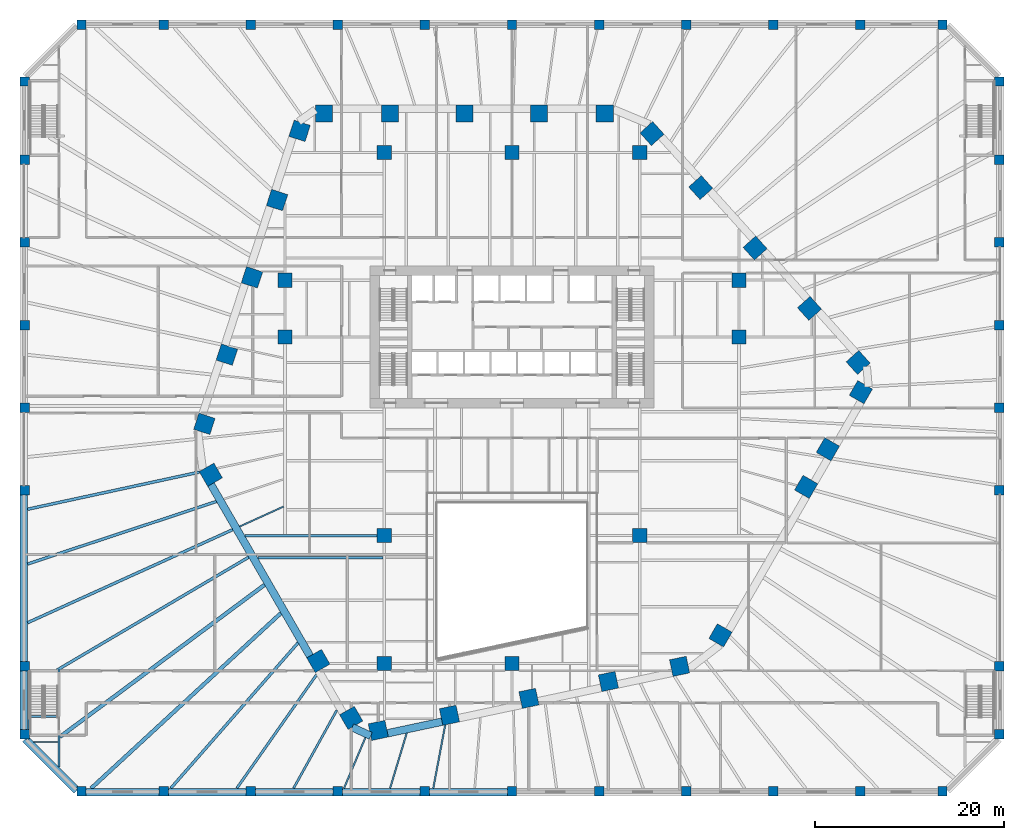
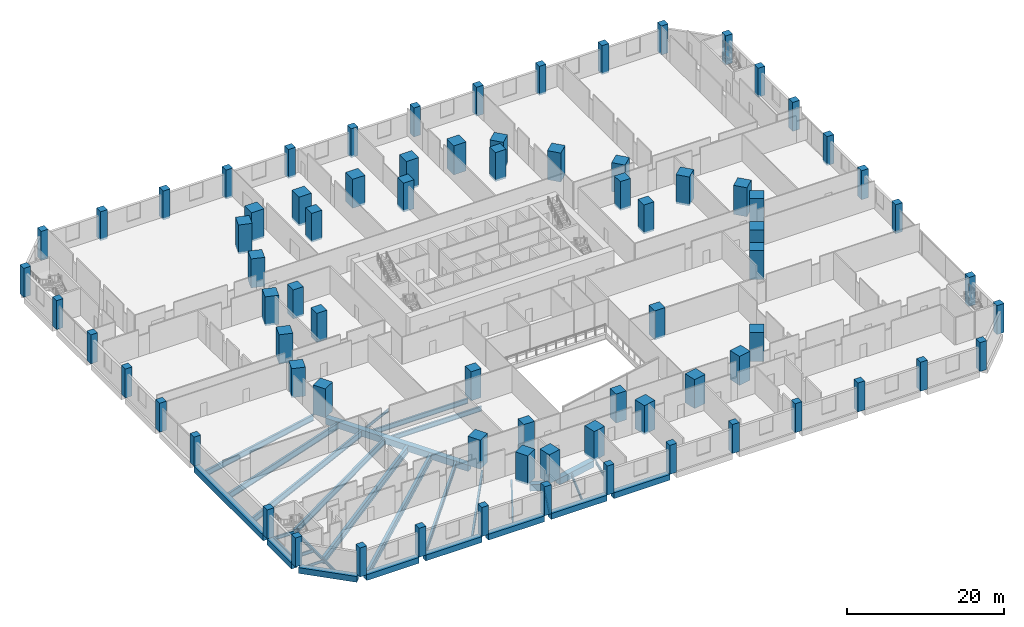
# One storey, part 1 of 29: 76 columns, 31 beams.
"""IFC4 building model written with IfcOpenShell, lengths in metres."""

import ifcopenshell
import ifcopenshell.guid

model = None  # the IFC model being written
_history = None  # IfcOwnerHistory: only IFC2X3 demands one
_inside = {}  # id of a spatial element -> (the spatial element, [elements in it])
_under = {}  # id of a project, library or spatial element -> (it, [spatial elements below it])
_declared = {}  # id of a project -> (the project, [libraries it declares])
_typed = {}  # id of a type object -> (the type object, [elements of that type])
_made_of = {}  # id of a material, layer set ... -> (it, [elements and type objects made of it])


def new_model(schema):
    """Start an empty IFC model of exactly this schema.

    Asked for "IFC4X3", IfcOpenShell would pick the latest addendum, in which some entities
    have other attributes; the version numbers below select the first issue.
    IFC2X3 requires an IfcOwnerHistory on every rooted entity: one is made here for all.
    """
    global model, _history
    if schema == "IFC4X3":
        model = ifcopenshell.file(schema_version=(4, 3, 0, 0))
    else:
        model = ifcopenshell.file(schema=schema)
    _inside.clear()
    _under.clear()
    _declared.clear()
    _typed.clear()
    _made_of.clear()
    _history = None
    if model.schema == "IFC2X3":
        org = make("IfcOrganization", Name="unknown")
        user = make(
            "IfcPersonAndOrganization",
            ThePerson=make("IfcPerson", FamilyName="unknown"),
            TheOrganization=org,
        )
        app = make(
            "IfcApplication",
            ApplicationDeveloper=org,
            Version="unknown",
            ApplicationFullName="unknown",
            ApplicationIdentifier="unknown",
        )
        _history = make(
            "IfcOwnerHistory",
            OwningUser=user,
            OwningApplication=app,
            ChangeAction="ADDED",
            CreationDate=0,
        )
    return model


def make(cls, **values):
    """One entity of the class cls with the attributes given. An attribute that is None is left unset."""
    return model.create_entity(
        cls, **{name: value for name, value in values.items() if value is not None}
    )


def rooted(cls, **values):
    """An entity with a GlobalId (a new one), such as an element, a storey or a relation."""
    return make(cls, GlobalId=ifcopenshell.guid.new(), OwnerHistory=_history, **values)


def si_unit(unit_type, name, prefix=None):
    """IfcSIUnit, for example si_unit("LENGTHUNIT", "METRE", prefix="MILLI")."""
    return make("IfcSIUnit", UnitType=unit_type, Prefix=prefix, Name=name)


def assignment(units):
    """IfcUnitAssignment: the units of a project."""
    return None if units is None else make("IfcUnitAssignment", Units=units)


def point(xyz):
    """IfcCartesianPoint."""
    return None if xyz is None else make("IfcCartesianPoint", Coordinates=xyz)


def direction(xyz):
    """IfcDirection."""
    return None if xyz is None else make("IfcDirection", DirectionRatios=xyz)


def frame(location, z_axis=None, x_axis=None):
    """IfcAxis2Placement3D, a coordinate frame: its origin and axes. An axis left out is left unset."""
    return make(
        "IfcAxis2Placement3D",
        Location=point(location),
        Axis=direction(z_axis),
        RefDirection=direction(x_axis),
    )


def frame_2d(location, x_axis=None):
    """IfcAxis2Placement2D, a coordinate frame in the plane: its origin and x axis."""
    return make(
        "IfcAxis2Placement2D", Location=point(location), RefDirection=direction(x_axis)
    )


def origin():
    """The frame at (0, 0, 0) with its axes left unset."""
    return frame((0.0, 0.0, 0.0))


def origin_2d():
    """The frame at (0, 0) in the plane with its x axis left unset."""
    return frame_2d((0.0, 0.0))


def place(relative_to, where):
    """IfcLocalPlacement: puts the frame where relative to a parent placement (None: the world)."""
    return make(
        "IfcLocalPlacement", PlacementRelTo=relative_to, RelativePlacement=where
    )


def context(
    kind, dimensions, precision=None, world=None, true_north=None, identifier=None
):
    """IfcGeometricRepresentationContext, for example the 3D "Model" context."""
    return make(
        "IfcGeometricRepresentationContext",
        ContextIdentifier=identifier,
        ContextType=kind,
        CoordinateSpaceDimension=dimensions,
        Precision=precision,
        WorldCoordinateSystem=world,
        TrueNorth=true_north,
    )


def subcontext(parent, identifier, kind, view, scale=None):
    """IfcGeometricRepresentationSubContext, for example "Body" below "Model"."""
    return make(
        "IfcGeometricRepresentationSubContext",
        ContextIdentifier=identifier,
        ContextType=kind,
        ParentContext=parent,
        TargetScale=scale,
        TargetView=view,
    )


def project(units=None, contexts=None):
    """IfcProject with its units and contexts."""
    return rooted(
        "IfcProject",
        Name="project",
        RepresentationContexts=contexts,
        UnitsInContext=assignment(units),
    )


def spatial(cls, under=None, at=None, **own):
    """A site, building, storey or space (cls), placed at a placement, below another one or the project."""
    s = rooted(cls, ObjectPlacement=at, **own)
    if under is not None:
        _under.setdefault(under.id(), (under, []))[1].append(s)
    return s


def profile(cls, at=None, kind="AREA", **sizes):
    """A parametric profile (cls). Its sizes go by their IFC names, for example OverallWidth=200.0."""
    return make(cls, ProfileType=kind, Position=at, **sizes)


def rectangle(**sizes):
    """IfcRectangleProfileDef."""
    return profile("IfcRectangleProfileDef", **sizes)


def i_section(**sizes):
    """IfcIShapeProfileDef."""
    return profile("IfcIShapeProfileDef", **sizes)


def extrude(swept, where, along, depth):
    """IfcExtrudedAreaSolid: the profile swept, set in the frame where, extruded along a direction by depth."""
    return make(
        "IfcExtrudedAreaSolid",
        SweptArea=swept,
        Position=where,
        ExtrudedDirection=direction(along),
        Depth=depth,
    )


def shape(context_of_items, identifier, shape_type, items):
    """IfcShapeRepresentation: the items that make up one representation, for example the "Body"."""
    return make(
        "IfcShapeRepresentation",
        ContextOfItems=context_of_items,
        RepresentationIdentifier=identifier,
        RepresentationType=shape_type,
        Items=items,
    )


def material(Name=None, Category=None):
    """IfcMaterial."""
    return make("IfcMaterial", Name=Name, Category=Category)


def material_profile(
    of_material, cross_section, Name=None, Category=None, Priority=None
):
    """IfcMaterialProfile: a cross section and its material."""
    return make(
        "IfcMaterialProfile",
        Name=Name,
        Material=of_material,
        Profile=cross_section,
        Priority=Priority,
        Category=Category,
    )


def profile_set(profiles, Name=None, composite=None):
    """IfcMaterialProfileSet."""
    return make(
        "IfcMaterialProfileSet",
        Name=Name,
        MaterialProfiles=profiles,
        CompositeProfile=composite,
    )


def made_of(thing, what):
    """Note that an element or type object is made of a material, layer set ...; save() writes the relation."""
    if what is not None:
        _made_of.setdefault(what.id(), (what, []))[1].append(thing)
    return thing


def type_object(cls, material=None, **own):
    """A type object (cls), such as IfcWallType, which elements share."""
    return made_of(rooted(cls, **own), material)


def element(
    cls,
    number,
    at=None,
    inside=None,
    cuts=None,
    type_object=None,
    material=None,
    context=None,
    identifier="Body",
    shape_type=None,
    held_by="IfcProductDefinitionShape",
    body=None,
    shapes=None,
    **own,
):
    """One element of the class cls, such as IfcWall. Its Tag is "e" and its number.

    at: its placement. inside: the storey or other place that contains it. cuts: it is an
    opening in that element (IfcRelVoidsElement). A single representation is given by context,
    identifier, shape_type and body (its items); several are given by shapes. held_by: the class
    of the entity that holds the representations. save() writes the other relations.
    """
    e = rooted(cls, Tag="e%d" % number, ObjectPlacement=at, **own)
    if body is not None:
        shapes = [shape(context, identifier, shape_type, body)]
    if shapes is not None:
        e.Representation = make(held_by, Representations=shapes)
    if inside is not None:
        _inside.setdefault(inside.id(), (inside, []))[1].append(e)
    if cuts is not None:
        rooted(
            "IfcRelVoidsElement", RelatingBuildingElement=cuts, RelatedOpeningElement=e
        )
    if type_object is not None:
        _typed.setdefault(type_object.id(), (type_object, []))[1].append(e)
    return made_of(e, material)


def aggregate(whole, parts):
    """IfcRelAggregates: a whole, such as a stair, and the parts it consists of."""
    return rooted("IfcRelAggregates", RelatingObject=whole, RelatedObjects=parts)


def save(model, path):
    """Write the relations noted so far, then the file.

    IfcRelAggregates (storeys below a building ...), IfcRelContainedInSpatialStructure (elements
    in a storey), IfcRelDefinesByType, IfcRelAssociatesMaterial and IfcRelDeclares: one each for
    every whole, place, type object, material and project.
    """
    for whole, parts in _under.values():
        aggregate(whole, parts)
    for where, things in _inside.values():
        rooted(
            "IfcRelContainedInSpatialStructure",
            RelatedElements=things,
            RelatingStructure=where,
        )
    for kind, things in _typed.values():
        rooted("IfcRelDefinesByType", RelatedObjects=things, RelatingType=kind)
    for what, things in _made_of.values():
        rooted("IfcRelAssociatesMaterial", RelatedObjects=things, RelatingMaterial=what)
    for by, libraries in _declared.values():
        rooted("IfcRelDeclares", RelatingContext=by, RelatedDefinitions=libraries)
    model.write(path)


model = new_model("IFC4")

# Units and contexts
model_context = context("Model", 3, precision=1e-05, world=origin(), true_north=direction((0.0, 1.0)))
body_context = subcontext(model_context, "Body", "Model", "MODEL_VIEW")
ifc_project = project(units=[si_unit("LENGTHUNIT", "METRE"), si_unit("AREAUNIT", "SQUARE_METRE"), si_unit("VOLUMEUNIT", "CUBIC_METRE"), si_unit("PLANEANGLEUNIT", "RADIAN"), si_unit("MASSUNIT", "GRAM", prefix="KILO")], contexts=[model_context])

# Site, building, storey
site_placement = place(None, origin())
site = spatial("IfcSite", under=ifc_project, at=site_placement, CompositionType="ELEMENT")
building_placement = place(site_placement, origin())
building = spatial("IfcBuilding", under=site, at=building_placement, Name="Isthmus Gate Tower", CompositionType="ELEMENT")
storey_placement = place(building_placement, frame((0.0, 0.0, 27.0)))
storey = spatial("IfcBuildingStorey", under=building, at=storey_placement, Name="L04", CompositionType="ELEMENT", Elevation=27.0)

# Columns
ifc_material_1 = material(Name="Concrete f'c 70 MPa", Category="concrete")
ifc_material_profile_1 = material_profile(ifc_material_1, rectangle(XDim=1.5, YDim=1.5, at=origin_2d()), Name="RC 1500X1500")
ifc_profile_set_1 = profile_set([ifc_material_profile_1], Name="Concrete f'c 70 MPa")
column_type_1 = type_object("IfcColumnType", Name="RC INTERIOR COLUMN 1500 X 1500", PredefinedType="COLUMN", material=ifc_profile_set_1)
for number, where, z_axis, x_axis, name in (
    (1, (-24.0, 7.5, -0.300048828125), (0.0, 0.0, 1.0), (1.0, 0.0, 0.0), "str-icol-L04-ICA3"),
    (2, (-24.0, 13.5, -0.300048828125), (0.0, 0.0, 1.0), (1.0, 0.0, 0.0), "str-icol-L04-ICA4"),
    (3, (-13.5, -27.0, -0.300048828125), (0.0, 0.0, 1.0), (1.0, 0.0, 0.0), "str-icol-L04-ICB1"),
    (4, (-13.5, -13.5, -0.300048828125), (0.0, 0.0, 1.0), (1.0, 0.0, 0.0), "str-icol-L04-ICB2"),
    (5, (-13.5, 27.0, -0.300048828125), (0.0, 0.0, 1.0), (1.0, 0.0, 0.0), "str-icol-L04-ICB5"),
    (6, (0.0, -27.0, -0.300048828125), (0.0, 0.0, 1.0), (1.0, 0.0, 0.0), "str-icol-L04-ICC1"),
    (7, (0.0, 27.0, -0.300048828125), (0.0, 0.0, 1.0), (1.0, 0.0, 0.0), "str-icol-L04-ICC5"),
    (8, (13.5, -13.5, -0.300048828125), (0.0, 0.0, 1.0), (1.0, 0.0, 0.0), "str-icol-L04-ICD2"),
    (9, (13.5, 27.0, -0.300048828125), (0.0, 0.0, 1.0), (1.0, 0.0, 0.0), "str-icol-L04-ICD5"),
    (10, (24.0, 7.5, -0.300048828125), (0.0, 0.0, 1.0), (1.0, 0.0, 0.0), "str-icol-L04-ICE3"),
    (11, (24.0, 13.5, -0.300048828125), (0.0, 0.0, 1.0), (1.0, 0.0, 0.0), "str-icol-L04-ICE4"),
):
    element("IfcColumn", number, at=place(storey_placement, frame(where, z_axis=z_axis, x_axis=x_axis)), inside=storey, type_object=column_type_1, Name=name, PredefinedType="COLUMN", context=body_context, shape_type="SweptSolid", body=[
        extrude(rectangle(XDim=1.5, YDim=1.5, at=origin_2d()), origin(), (0.0, 0.0, 1.0), 4.5),
    ])
ifc_material_2 = material(Name="Concrete f'c 70 MPa", Category="concrete")
ifc_material_profile_2 = material_profile(ifc_material_2, rectangle(XDim=1.0, YDim=1.0, at=origin_2d()), Name="RC 1000X1000")
ifc_profile_set_2 = profile_set([ifc_material_profile_2], Name="Concrete f'c 70 MPa")
column_type_2 = type_object("IfcColumnType", Name="RC PODIUM COLUMN 1000 X 1000", PredefinedType="COLUMN", material=ifc_profile_set_2)
for number, where, z_axis, x_axis, name in (
    (12, (-45.5, -40.5, -0.300048828125), (0.0, 0.0, 1.0), (1.0, 0.0, 0.0), "str-pcol-L04-PC01"),
    (13, (-36.800048828125, -40.5, -0.300048828125), (0.0, 0.0, 1.0), (1.0, 0.0, 0.0), "str-pcol-L04-PC02"),
    (14, (-27.60009765625, -40.5, -0.300048828125), (0.0, 0.0, 1.0), (1.0, 0.0, 0.0), "str-pcol-L04-PC03"),
    (15, (-18.39990234375, -40.5, -0.300048828125), (0.0, 0.0, 1.0), (1.0, 0.0, 0.0), "str-pcol-L04-PC04"),
    (16, (-9.199951171875, -40.5, -0.300048828125), (0.0, 0.0, 1.0), (1.0, 0.0, 0.0), "str-pcol-L04-PC05"),
    (17, (0.0, -40.5, -0.300048828125), (0.0, 0.0, 1.0), (1.0, 0.0, 0.0), "str-pcol-L04-PC06"),
    (18, (9.199951171875, -40.5, -0.300048828125), (0.0, 0.0, 1.0), (1.0, 0.0, 0.0), "str-pcol-L04-PC07"),
    (19, (18.39990234375, -40.5, -0.300048828125), (0.0, 0.0, 1.0), (1.0, 0.0, 0.0), "str-pcol-L04-PC08"),
    (20, (27.60009765625, -40.5, -0.300048828125), (0.0, 0.0, 1.0), (1.0, 0.0, 0.0), "str-pcol-L04-PC09"),
    (21, (36.800048828125, -40.5, -0.300048828125), (0.0, 0.0, 1.0), (1.0, 0.0, 0.0), "str-pcol-L04-PC10"),
    (22, (45.5, -40.5, -0.300048828125), (0.0, 0.0, 1.0), (1.0, 0.0, 0.0), "str-pcol-L04-PC11"),
    (23, (51.5, -34.5, -0.300048828125), (0.0, 0.0, 1.0), (0.0, 1.0, 0.0), "str-pcol-L04-PC12"),
    (24, (51.5, 0.0, -0.300048828125), (0.0, 0.0, 1.0), (0.0, 1.0, 0.0), "str-pcol-L04-PC13"),
    (25, (51.5, 8.75, -0.300048828125), (0.0, 0.0, 1.0), (0.0, 1.0, 0.0), "str-pcol-L04-PC14"),
    (26, (51.5, 17.5, -0.300048828125), (0.0, 0.0, 1.0), (0.0, 1.0, 0.0), "str-pcol-L04-PC15"),
    (27, (51.5, 26.25, -0.300048828125), (0.0, 0.0, 1.0), (0.0, 1.0, 0.0), "str-pcol-L04-PC16"),
    (28, (51.5, 34.5, -0.300048828125), (0.0, 0.0, 1.0), (0.0, 1.0, 0.0), "str-pcol-L04-PC17"),
    (29, (45.5, 40.5, -0.300048828125), (0.0, 0.0, 1.0), (-1.0, 0.0, 0.0), "str-pcol-L04-PC18"),
    (30, (36.800048828125, 40.5, -0.300048828125), (0.0, 0.0, 1.0), (-1.0, 0.0, 0.0), "str-pcol-L04-PC19"),
    (31, (27.60009765625, 40.5, -0.300048828125), (0.0, 0.0, 1.0), (-1.0, 0.0, 0.0), "str-pcol-L04-PC20"),
    (32, (18.39990234375, 40.5, -0.300048828125), (0.0, 0.0, 1.0), (-1.0, 0.0, 0.0), "str-pcol-L04-PC21"),
    (33, (9.199951171875, 40.5, -0.300048828125), (0.0, 0.0, 1.0), (-1.0, 0.0, 0.0), "str-pcol-L04-PC22"),
    (34, (0.0, 40.5, -0.300048828125), (0.0, 0.0, 1.0), (-1.0, 0.0, 0.0), "str-pcol-L04-PC23"),
    (35, (-9.199951171875, 40.5, -0.300048828125), (0.0, 0.0, 1.0), (-1.0, 0.0, 0.0), "str-pcol-L04-PC24"),
    (36, (-18.39990234375, 40.5, -0.300048828125), (0.0, 0.0, 1.0), (-1.0, 0.0, 0.0), "str-pcol-L04-PC25"),
    (37, (-27.60009765625, 40.5, -0.300048828125), (0.0, 0.0, 1.0), (-1.0, 0.0, 0.0), "str-pcol-L04-PC26"),
    (38, (-36.800048828125, 40.5, -0.300048828125), (0.0, 0.0, 1.0), (-1.0, 0.0, 0.0), "str-pcol-L04-PC27"),
    (39, (-45.5, 40.5, -0.300048828125), (0.0, 0.0, 1.0), (-1.0, 0.0, 0.0), "str-pcol-L04-PC28"),
    (40, (-51.5, 34.5, -0.300048828125), (0.0, 0.0, 1.0), (0.0, -1.0, 0.0), "str-pcol-L04-PC29"),
    (41, (-51.5, 26.25, -0.300048828125), (0.0, 0.0, 1.0), (0.0, -1.0, 0.0), "str-pcol-L04-PC30"),
    (42, (-51.5, 17.5, -0.300048828125), (0.0, 0.0, 1.0), (0.0, -1.0, 0.0), "str-pcol-L04-PC31"),
    (43, (-51.5, 8.75, -0.300048828125), (0.0, 0.0, 1.0), (0.0, -1.0, 0.0), "str-pcol-L04-PC32"),
    (44, (-51.5, 0.0, -0.300048828125), (0.0, 0.0, 1.0), (0.0, -1.0, 0.0), "str-pcol-L04-PC33"),
    (45, (-51.5, -34.5, -0.300048828125), (0.0, 0.0, 1.0), (0.0, -1.0, 0.0), "str-pcol-L04-PC34"),
    (46, (-51.5, -27.300048828125, -0.300048828125), (0.0, 0.0, 1.0), (0.0, 1.0, 0.0), "str-pcol-L04-PC35"),
    (47, (-51.5, -8.699951171875, -0.300048828125), (0.0, 0.0, 1.0), (0.0, 1.0, 0.0), "str-pcol-L04-PC36"),
    (48, (51.5, -27.300048828125, -0.300048828125), (0.0, 0.0, 1.0), (0.0, 1.0, 0.0), "str-pcol-L04-PC37"),
    (49, (51.5, -8.699951171875, -0.300048828125), (0.0, 0.0, 1.0), (0.0, 1.0, 0.0), "str-pcol-L04-PC38"),
):
    element("IfcColumn", number, at=place(storey_placement, frame(where, z_axis=z_axis, x_axis=x_axis)), inside=storey, type_object=column_type_2, Name=name, PredefinedType="COLUMN", context=body_context, shape_type="SweptSolid", body=[
        extrude(rectangle(XDim=1.0, YDim=1.0, at=origin_2d()), origin(), (0.0, 0.0, 1.0), 4.5),
    ])
ifc_material_3 = material(Name="Concrete f'c 70 MPa", Category="concrete")
ifc_material_profile_3 = material_profile(ifc_material_3, rectangle(XDim=1.800048828125, YDim=1.800048828125, at=origin_2d()), Name="RC 1800X1800")
ifc_profile_set_3 = profile_set([ifc_material_profile_3], Name="Concrete f'c 70 MPa")
column_type_3 = type_object("IfcColumnType", Name="RC TUBE COLUMN 1800 X 1800", PredefinedType="COLUMN", material=ifc_profile_set_3)
for number, where, z_axis, x_axis, name in (
    (50, (9.8017578125, 31.10009765625, -0.300048828125), (0.0, 0.0, 1.0), (-1.0, 0.0, 0.0), "str-tcol-L04-T1N0"),
    (51, (2.832275390625, 31.10009765625, -0.300048828125), (0.0, 0.0, 1.0), (-1.0, 0.0, 0.0), "str-tcol-L04-T1N1"),
    (52, (-5.037109375, 31.10009765625, -0.300048828125), (0.0, 0.0, 1.0), (-1.0, 0.0, 0.0), "str-tcol-L04-T1N2"),
    (53, (-12.90673828125, 31.10009765625, -0.300048828125), (0.0, 0.0, 1.0), (-1.0, 0.0, 0.0), "str-tcol-L04-T1N3"),
    (54, (-19.876220703125, 31.10009765625, -0.300048828125), (0.0, 0.0, 1.0), (-1.0, 0.0, 0.0), "str-tcol-L04-T1N4"),
    (55, (-22.451171875, 29.281005859375, -0.300048828125), (0.0, 0.0, 1.0), (-0.309016994375, -0.951056516295, 0.0), "str-tcol-L04-T1NW0"),
    (56, (-24.827392578125, 21.9677734375, -0.300048828125), (0.0, 0.0, 1.0), (-0.309016994375, -0.951056516295, 0.0), "str-tcol-L04-T1NW1"),
    (57, (-27.481689453125, 13.798828125, -0.300048828125), (0.0, 0.0, 1.0), (-0.309016994375, -0.951056516295, 0.0), "str-tcol-L04-T1NW2"),
    (58, (-30.135986328125, 5.6298828125, -0.300048828125), (0.0, 0.0, 1.0), (-0.309016994375, -0.951056516295, 0.0), "str-tcol-L04-T1NW3"),
    (59, (-32.511962890625, -1.68310546875, -0.300048828125), (0.0, 0.0, 1.0), (-0.309016994375, -0.951056516295, 0.0), "str-tcol-L04-T1NW4"),
    (60, (-31.834228515625, -7.061279296875, -0.300048828125), (0.0, 0.0, 1.0), (0.5, -0.866025403784, 0.0), "str-tcol-L04-T1SW0"),
    (61, (-20.467041015625, -26.75, -0.300048828125), (0.0, 0.0, 1.0), (0.5, -0.866025403784, 0.0), "str-tcol-L04-T1SW2"),
    (62, (-16.995361328125, -32.763427734375, -0.300048828125), (0.0, 0.0, 1.0), (0.5, -0.866025403784, 0.0), "str-tcol-L04-T1SW3"),
    (63, (-14.13232421875, -34.083740234375, -0.300048828125), (0.0, 0.0, 1.0), (0.978147600734, 0.207911690818, 0.0), "str-tcol-L04-T1S0"),
    (64, (-6.611083984375, -32.485107421875, -0.300048828125), (0.0, 0.0, 1.0), (0.978147600734, 0.207911690818, 0.0), "str-tcol-L04-T1S1"),
    (65, (1.79052734375, -30.69921875, -0.300048828125), (0.0, 0.0, 1.0), (0.978147600734, 0.207911690818, 0.0), "str-tcol-L04-T1S2"),
    (66, (10.192138671875, -28.91357421875, -0.300048828125), (0.0, 0.0, 1.0), (0.978147600734, 0.207911690818, 0.0), "str-tcol-L04-T1S3"),
    (67, (17.713623046875, -27.314697265625, -0.300048828125), (0.0, 0.0, 1.0), (0.978147600734, 0.207911690818, 0.0), "str-tcol-L04-T1S4"),
    (68, (22.032470703125, -24.03857421875, -0.300048828125), (0.0, 0.0, 1.0), (0.5, 0.866025403784, 0.0), "str-tcol-L04-T1SE0"),
    (69, (31.09033203125, -8.35009765625, -0.300048828125), (0.0, 0.0, 1.0), (0.5, 0.866025403784, 0.0), "str-tcol-L04-T1SE1"),
    (70, (33.38671875, -4.37255859375, -0.300048828125), (0.0, 0.0, 1.0), (0.5, 0.866025403784, 0.0), "str-tcol-L04-T1SE2"),
    (71, (36.87158203125, 1.663330078125, -0.300048828125), (0.0, 0.0, 1.0), (0.5, 0.866025403784, 0.0), "str-tcol-L04-T1SE3"),
    (72, (36.583740234375, 4.802978515625, -0.300048828125), (0.0, 0.0, 1.0), (-0.669130606359, 0.743144825477, 0.0), "str-tcol-L04-T1NE0"),
    (73, (31.4384765625, 10.517333984375, -0.300048828125), (0.0, 0.0, 1.0), (-0.669130606359, 0.743144825477, 0.0), "str-tcol-L04-T1NE1"),
    (74, (25.691162109375, 16.900390625, -0.300048828125), (0.0, 0.0, 1.0), (-0.669130606359, 0.743144825477, 0.0), "str-tcol-L04-T1NE2"),
    (75, (19.943603515625, 23.283447265625, -0.300048828125), (0.0, 0.0, 1.0), (-0.669130606359, 0.743144825477, 0.0), "str-tcol-L04-T1NE3"),
    (76, (14.798583984375, 28.997802734375, -0.300048828125), (0.0, 0.0, 1.0), (-0.669130606359, 0.743144825477, 0.0), "str-tcol-L04-T1NE4"),
):
    element("IfcColumn", number, at=place(storey_placement, frame(where, z_axis=z_axis, x_axis=x_axis)), inside=storey, type_object=column_type_3, Name=name, PredefinedType="COLUMN", context=body_context, shape_type="SweptSolid", body=[
        extrude(rectangle(XDim=1.800048828125, YDim=1.800048828125, at=origin_2d()), origin(), (0.0, 0.0, 1.0), 4.5),
    ])

# Beams
ifc_material_4 = material(Name="Concrete f'c 70 MPa", Category="concrete")
ifc_material_profile_4 = material_profile(ifc_material_4, rectangle(XDim=0.800048828125, YDim=0.89990234375, at=origin_2d()), Name="RC 800X900")
ifc_profile_set_4 = profile_set([ifc_material_profile_4], Name="Concrete f'c 70 MPa")
beam_type_1 = type_object("IfcBeamType", Name="RC EDGE BEAM 800 X 900", PredefinedType="BEAM", material=ifc_profile_set_4)
beam_1_placement = place(storey_placement, frame((-46.0, -40.434326171875, -0.75), z_axis=(-0.707106781187, 0.707106781187, 0.0), x_axis=(-0.707106781187, -0.707106781187, 0.0)))
element("IfcBeam", 77, at=beam_1_placement, inside=storey, type_object=beam_type_1, Name="str-edgebeam-L04-00", PredefinedType="BEAM", context=body_context, shape_type="SweptSolid", body=[
    extrude(rectangle(XDim=0.800048828125, YDim=0.89990234375, at=origin_2d()), origin(), (0.0, 0.0, 1.0), 7.685302734375),
])
beam_2_placement = place(storey_placement, frame((-51.60009765625, -34.0, -0.75), z_axis=(0.0, 1.0, 0.0), x_axis=(-1.0, 0.0, 0.0)))
element("IfcBeam", 78, at=beam_2_placement, inside=storey, type_object=beam_type_1, Name="str-edgebeam-L04-01", PredefinedType="BEAM", context=body_context, shape_type="SweptSolid", body=[
    extrude(rectangle(XDim=0.800048828125, YDim=0.89990234375, at=origin_2d()), origin(), (0.0, 0.0, 1.0), 6.199951171875),
])
beam_3_placement = place(storey_placement, frame((-51.60009765625, -26.800048828125, -0.75), z_axis=(0.0, 1.0, 0.0), x_axis=(-1.0, 0.0, 0.0)))
element("IfcBeam", 79, at=beam_3_placement, inside=storey, type_object=beam_type_1, Name="str-edgebeam-L04-02", PredefinedType="BEAM", context=body_context, shape_type="SweptSolid", body=[
    extrude(rectangle(XDim=0.800048828125, YDim=0.89990234375, at=origin_2d()), origin(), (0.0, 0.0, 1.0), 17.60009765625),
])
for number, where, z_axis, x_axis, name in (
    (80, (-0.5, -40.60009765625, -0.75), (-1.0, 0.0, 0.0), (0.0, -1.0, 0.0), "str-edgebeam-L04-33"),
    (81, (-9.699951171875, -40.60009765625, -0.75), (-1.0, 0.0, 0.0), (0.0, -1.0, 0.0), "str-edgebeam-L04-34"),
):
    element("IfcBeam", number, at=place(storey_placement, frame(where, z_axis=z_axis, x_axis=x_axis)), inside=storey, type_object=beam_type_1, Name=name, PredefinedType="BEAM", context=body_context, shape_type="SweptSolid", body=[
        extrude(rectangle(XDim=0.800048828125, YDim=0.89990234375, at=origin_2d()), origin(), (0.0, 0.0, 1.0), 8.199951171875),
    ])
beam_4_placement = place(storey_placement, frame((-18.89990234375, -40.60009765625, -0.75), z_axis=(-1.0, 0.0, 0.0), x_axis=(0.0, -1.0, 0.0)))
element("IfcBeam", 82, at=beam_4_placement, inside=storey, type_object=beam_type_1, Name="str-edgebeam-L04-35", PredefinedType="BEAM", context=body_context, shape_type="SweptSolid", body=[
    extrude(rectangle(XDim=0.800048828125, YDim=0.89990234375, at=origin_2d()), origin(), (0.0, 0.0, 1.0), 8.2001953125),
])
beam_5_placement = place(storey_placement, frame((-28.10009765625, -40.60009765625, -0.75), z_axis=(-1.0, 0.0, 0.0), x_axis=(0.0, -1.0, 0.0)))
element("IfcBeam", 83, at=beam_5_placement, inside=storey, type_object=beam_type_1, Name="str-edgebeam-L04-36", PredefinedType="BEAM", context=body_context, shape_type="SweptSolid", body=[
    extrude(rectangle(XDim=0.800048828125, YDim=0.89990234375, at=origin_2d()), origin(), (0.0, 0.0, 1.0), 8.199951171875),
])
beam_6_placement = place(storey_placement, frame((-37.300048828125, -40.60009765625, -0.75), z_axis=(-1.0, 0.0, 0.0), x_axis=(0.0, -1.0, 0.0)))
element("IfcBeam", 84, at=beam_6_placement, inside=storey, type_object=beam_type_1, Name="str-edgebeam-L04-37", PredefinedType="BEAM", context=body_context, shape_type="SweptSolid", body=[
    extrude(rectangle(XDim=0.800048828125, YDim=0.89990234375, at=origin_2d()), origin(), (0.0, 0.0, 1.0), 7.699951171875),
])
ifc_material_5 = material(Name="Concrete f'c 70 MPa", Category="concrete")
ifc_material_profile_5 = material_profile(ifc_material_5, rectangle(XDim=0.800048828125, YDim=1.0, at=origin_2d()), Name="RC 800X1000")
ifc_profile_set_5 = profile_set([ifc_material_profile_5], Name="Concrete f'c 70 MPa")
beam_type_2 = type_object("IfcBeamType", Name="RC TUBE RING BEAM 800 X 1000", PredefinedType="BEAM", material=ifc_profile_set_5)
beam_7_placement = place(storey_placement, frame((-7.387451171875, -33.161376953125, -0.800048828125), z_axis=(-0.978149894464, -0.207900899374, 0.0), x_axis=(0.207900899374, -0.978149894464, 0.0)))
element("IfcBeam", 85, at=beam_7_placement, inside=storey, type_object=beam_type_2, Name="str-ringbeam-L04-13", PredefinedType="BEAM", context=body_context, shape_type="SweptSolid", body=[
    extrude(rectangle(XDim=0.800048828125, YDim=1.0, at=origin_2d()), origin(), (0.0, 0.0, 1.0), 5.88916015625),
])
beam_8_placement = place(storey_placement, frame((-14.929443359375, -34.662109375, -0.800048828125), z_axis=(-0.907290744498, 0.420503870314, 0.0), x_axis=(-0.420503870314, -0.907290744498, 0.0)))
element("IfcBeam", 86, at=beam_8_placement, inside=storey, type_object=beam_type_2, Name="str-ringbeam-L04-14", PredefinedType="BEAM", context=body_context, shape_type="SweptSolid", body=[
    extrude(rectangle(XDim=0.800048828125, YDim=1.0, at=origin_2d()), origin(), (0.0, 0.0, 1.0), 2.173095703125),
])
beam_9_placement = place(storey_placement, frame((-21.35009765625, -26.220458984375, -0.800048828125), z_axis=(-0.500004778811, 0.866022644719, 0.0), x_axis=(-0.866022644719, -0.500004778811, 0.0)))
element("IfcBeam", 87, at=beam_9_placement, inside=storey, type_object=beam_type_2, Name="str-ringbeam-L04-16", PredefinedType="BEAM", context=body_context, shape_type="SweptSolid", body=[
    extrude(rectangle(XDim=0.800048828125, YDim=1.0, at=origin_2d()), origin(), (0.0, 0.0, 1.0), 20.934326171875),
])
ifc_material_6 = material(Name="Structural steel ASTM A992 Gr 50", Category="steel")
ifc_material_profile_6 = material_profile(ifc_material_6, i_section(OverallWidth=0.1396484375, OverallDepth=0.4033203125, WebThickness=0.00634765625, FlangeThickness=0.010986328125, at=origin_2d()), Name="W16X31")
ifc_profile_set_6 = profile_set([ifc_material_profile_6], Name="Structural steel ASTM A992 Gr 50")
beam_type_3 = type_object("IfcBeamType", Name="STEEL FLOOR BEAM W16X31", PredefinedType="JOIST", material=ifc_profile_set_6)
beam_10_placement = place(storey_placement, frame((-50.567138671875, -35.301513671875, -0.501708984375), z_axis=(1.0, 0.0, 0.0), x_axis=(0.0, 1.0, 0.0)))
element("IfcBeam", 88, at=beam_10_placement, inside=storey, type_object=beam_type_3, Name="str-beam-L04-03-00", PredefinedType="JOIST", context=body_context, shape_type="SweptSolid", body=[
    extrude(i_section(OverallWidth=0.1396484375, OverallDepth=0.4033203125, WebThickness=0.00634765625, FlangeThickness=0.010986328125, at=origin_2d()), origin(), (0.0, 0.0, 1.0), 2.567138671875),
])
ifc_material_7 = material(Name="Structural steel ASTM A992 Gr 50", Category="steel")
ifc_material_profile_7 = material_profile(ifc_material_7, i_section(OverallWidth=0.15234375, OverallDepth=0.45068359375, WebThickness=0.0078125, FlangeThickness=0.010986328125, at=origin_2d()), Name="W18X35")
ifc_profile_set_7 = profile_set([ifc_material_profile_7], Name="Structural steel ASTM A992 Gr 50")
beam_type_4 = type_object("IfcBeamType", Name="STEEL FLOOR BEAM W18X35", PredefinedType="JOIST", material=ifc_profile_set_7)
beam_11_placement = place(storey_placement, frame((-24.15234375, -10.4306640625, -0.525390625), z_axis=(-0.910630635338, -0.413221303884, 0.0), x_axis=(0.413221303884, -0.910630635338, 0.0)))
element("IfcBeam", 89, at=beam_11_placement, inside=storey, type_object=beam_type_4, Name="str-beam-L04-19-41", PredefinedType="JOIST", context=body_context, shape_type="SweptSolid", body=[
    extrude(i_section(OverallWidth=0.15234375, OverallDepth=0.45068359375, WebThickness=0.0078125, FlangeThickness=0.010986328125, at=origin_2d()), origin(), (0.0, 0.0, 1.0), 5.09228515625),
])
ifc_material_8 = material(Name="Structural steel ASTM A992 Gr 50", Category="steel")
ifc_material_profile_8 = material_profile(ifc_material_8, i_section(OverallWidth=0.1650390625, OverallDepth=0.52392578125, WebThickness=0.009521484375, FlangeThickness=0.010986328125, at=origin_2d()), Name="W21X44")
ifc_profile_set_8 = profile_set([ifc_material_profile_8], Name="Structural steel ASTM A992 Gr 50")
beam_type_5 = type_object("IfcBeamType", Name="STEEL FLOOR BEAM W21X44", PredefinedType="JOIST", material=ifc_profile_set_8)
beam_12_placement = place(storey_placement, frame((-15.49462890625, -34.841064453125, -0.56201171875), z_axis=(-0.388837459081, -0.921306371635, 0.0), x_axis=(0.921306371635, -0.388837459081, 0.0)))
element("IfcBeam", 90, at=beam_12_placement, inside=storey, type_object=beam_type_5, Name="str-beam-L04-19-49", PredefinedType="JOIST", context=body_context, shape_type="SweptSolid", body=[
    extrude(i_section(OverallWidth=0.1650390625, OverallDepth=0.52392578125, WebThickness=0.009521484375, FlangeThickness=0.010986328125, at=origin_2d()), origin(), (0.0, 0.0, 1.0), 5.816650390625),
])
beam_13_placement = place(storey_placement, frame((-11.12744140625, -34.365234375, -0.56201171875), z_axis=(-0.288681758509, -0.957425110546, 0.0), x_axis=(0.957425110546, -0.288681758509, 0.0)))
element("IfcBeam", 91, at=beam_13_placement, inside=storey, type_object=beam_type_5, Name="str-beam-L04-19-50", PredefinedType="JOIST", context=body_context, shape_type="SweptSolid", body=[
    extrude(i_section(OverallWidth=0.1650390625, OverallDepth=0.52392578125, WebThickness=0.009521484375, FlangeThickness=0.010986328125, at=origin_2d()), origin(), (0.0, 0.0, 1.0), 6.09423828125),
])
beam_14_placement = place(storey_placement, frame((-7.05810546875, -33.500244140625, -0.56201171875), z_axis=(-0.185278677276, -0.982686018903, 0.0), x_axis=(0.982686018903, -0.185278677276, 0.0)))
element("IfcBeam", 92, at=beam_14_placement, inside=storey, type_object=beam_type_5, Name="str-beam-L04-19-51", PredefinedType="JOIST", context=body_context, shape_type="SweptSolid", body=[
    extrude(i_section(OverallWidth=0.1650390625, OverallDepth=0.52392578125, WebThickness=0.009521484375, FlangeThickness=0.010986328125, at=origin_2d()), origin(), (0.0, 0.0, 1.0), 6.81787109375),
])
ifc_material_9 = material(Name="Structural steel ASTM A992 Gr 50", Category="steel")
ifc_material_profile_9 = material_profile(ifc_material_9, i_section(OverallWidth=0.228515625, OverallDepth=0.603271484375, WebThickness=0.010986328125, FlangeThickness=0.014404296875, at=origin_2d()), Name="W24X68")
ifc_profile_set_9 = profile_set([ifc_material_profile_9], Name="Structural steel ASTM A992 Gr 50")
beam_type_6 = type_object("IfcBeamType", Name="STEEL FLOOR BEAM W24X68", PredefinedType="JOIST", material=ifc_profile_set_9)
beam_15_placement = place(storey_placement, frame((-18.51025390625, -31.939453125, -0.6015625), z_axis=(-0.484551572164, -0.874762695772, 0.0), x_axis=(0.874762695772, -0.484551572164, 0.0)))
element("IfcBeam", 93, at=beam_15_placement, inside=storey, type_object=beam_type_6, Name="str-beam-L04-19-48", PredefinedType="JOIST", context=body_context, shape_type="SweptSolid", body=[
    extrude(i_section(OverallWidth=0.228515625, OverallDepth=0.603271484375, WebThickness=0.010986328125, FlangeThickness=0.014404296875, at=origin_2d()), origin(), (0.0, 0.0, 1.0), 9.443115234375),
])
ifc_material_10 = material(Name="Structural steel ASTM A992 Gr 50", Category="steel")
ifc_material_profile_10 = material_profile(ifc_material_10, i_section(OverallWidth=0.2666015625, OverallDepth=0.7587890625, WebThickness=0.014404296875, FlangeThickness=0.01904296875, at=origin_2d()), Name="W30X108")
ifc_profile_set_10 = profile_set([ifc_material_profile_10], Name="Structural steel ASTM A992 Gr 50")
beam_type_7 = type_object("IfcBeamType", Name="STEEL FLOOR BEAM W30X108", PredefinedType="JOIST", material=ifc_profile_set_10)
beam_16_placement = place(storey_placement, frame((-20.663818359375, -28.208984375, -0.679443359375), z_axis=(-0.574797800542, -0.818295477497, 0.0), x_axis=(0.818295477497, -0.574797800542, 0.0)))
element("IfcBeam", 94, at=beam_16_placement, inside=storey, type_object=beam_type_7, Name="str-beam-L04-19-47", PredefinedType="JOIST", context=body_context, shape_type="SweptSolid", body=[
    extrude(i_section(OverallWidth=0.2666015625, OverallDepth=0.7587890625, WebThickness=0.014404296875, FlangeThickness=0.01904296875, at=origin_2d()), origin(), (0.0, 0.0, 1.0), 14.653564453125),
])
ifc_material_11 = material(Name="Structural steel ASTM A992 Gr 50", Category="steel")
ifc_material_profile_11 = material_profile(ifc_material_11, i_section(OverallWidth=0.263427734375, OverallDepth=0.749267578125, WebThickness=0.0126953125, FlangeThickness=0.015869140625, at=origin_2d()), Name="W30X90")
ifc_profile_set_11 = profile_set([ifc_material_profile_11], Name="Structural steel ASTM A992 Gr 50")
beam_type_8 = type_object("IfcBeamType", Name="STEEL FLOOR BEAM W30X90", PredefinedType="JOIST", material=ifc_profile_set_11)
beam_17_placement = place(storey_placement, frame((-26.869140625, -15.861083984375, -0.674560546875), z_axis=(1.0, 0.0, 0.0), x_axis=(0.0, 1.0, 0.0)))
element("IfcBeam", 95, at=beam_17_placement, inside=storey, type_object=beam_type_8, Name="str-beam-L04-07-02", PredefinedType="JOIST", context=body_context, shape_type="SweptSolid", body=[
    extrude(i_section(OverallWidth=0.263427734375, OverallDepth=0.749267578125, WebThickness=0.0126953125, FlangeThickness=0.015869140625, at=origin_2d()), origin(), (0.0, 0.0, 1.0), 13.2421875),
])
ifc_material_12 = material(Name="Structural steel ASTM A992 Gr 50", Category="steel")
ifc_material_profile_12 = material_profile(ifc_material_12, i_section(OverallWidth=0.3046875, OverallDepth=0.901611328125, WebThickness=0.015869140625, FlangeThickness=0.0205078125, at=origin_2d()), Name="W36X135")
ifc_profile_set_12 = profile_set([ifc_material_profile_12], Name="Structural steel ASTM A992 Gr 50")
beam_type_9 = type_object("IfcBeamType", Name="STEEL FLOOR BEAM W36X135", PredefinedType="JOIST", material=ifc_profile_set_12)
beam_18_placement = place(storey_placement, frame((-33.03466796875, -6.782470703125, -0.750732421875), z_axis=(-0.977404850841, -0.211375867951, 0.0), x_axis=(0.211375867951, -0.977404850841, 0.0)))
element("IfcBeam", 96, at=beam_18_placement, inside=storey, type_object=beam_type_9, Name="str-beam-L04-19-38", PredefinedType="JOIST", context=body_context, shape_type="SweptSolid", body=[
    extrude(i_section(OverallWidth=0.3046875, OverallDepth=0.901611328125, WebThickness=0.015869140625, FlangeThickness=0.0205078125, at=origin_2d()), origin(), (0.0, 0.0, 1.0), 18.585205078125),
])
ifc_material_13 = material(Name="Structural steel ASTM A992 Gr 50", Category="steel")
ifc_material_profile_13 = material_profile(ifc_material_13, i_section(OverallWidth=0.3046875, OverallDepth=0.914306640625, WebThickness=0.015869140625, FlangeThickness=0.025390625, at=origin_2d()), Name="W36X160")
ifc_profile_set_13 = profile_set([ifc_material_profile_13], Name="Structural steel ASTM A992 Gr 50")
beam_type_10 = type_object("IfcBeamType", Name="STEEL FLOOR BEAM W36X160", PredefinedType="JOIST", material=ifc_profile_set_13)
beam_19_placement = place(storey_placement, frame((-22.61376953125, -24.83154296875, -0.757080078125), z_axis=(-0.658515610802, -0.752567066998, 0.0), x_axis=(0.752567066998, -0.658515610802, 0.0)))
element("IfcBeam", 97, at=beam_19_placement, inside=storey, type_object=beam_type_10, Name="str-beam-L04-19-46", PredefinedType="JOIST", context=body_context, shape_type="SweptSolid", body=[
    extrude(i_section(OverallWidth=0.3046875, OverallDepth=0.914306640625, WebThickness=0.015869140625, FlangeThickness=0.025390625, at=origin_2d()), origin(), (0.0, 0.0, 1.0), 20.42138671875),
])
ifc_material_14 = material(Name="Structural steel ASTM A992 Gr 50", Category="steel")
ifc_material_profile_14 = material_profile(ifc_material_14, i_section(OverallWidth=0.29833984375, OverallDepth=0.981201171875, WebThickness=0.015869140625, FlangeThickness=0.025390625, at=origin_2d()), Name="W40X167")
ifc_profile_set_14 = profile_set([ifc_material_profile_14], Name="Structural steel ASTM A992 Gr 50")
beam_type_11 = type_object("IfcBeamType", Name="STEEL FLOOR BEAM W40X167", PredefinedType="JOIST", material=ifc_profile_set_14)
beam_20_placement = place(storey_placement, frame((-31.2392578125, -9.89208984375, -0.79052734375), z_axis=(-0.949398486623, -0.314074057507, 0.0), x_axis=(0.314074057507, -0.949398486623, 0.0)))
element("IfcBeam", 98, at=beam_20_placement, inside=storey, type_object=beam_type_11, Name="str-beam-L04-19-40", PredefinedType="JOIST", context=body_context, shape_type="SweptSolid", body=[
    extrude(i_section(OverallWidth=0.29833984375, OverallDepth=0.981201171875, WebThickness=0.015869140625, FlangeThickness=0.025390625, at=origin_2d()), origin(), (0.0, 0.0, 1.0), 21.024658203125),
])
beam_21_placement = place(storey_placement, frame((-29.521484375, -12.8671875, -0.79052734375), z_axis=(-0.910638122314, -0.413204804169, 0.0), x_axis=(0.413204804169, -0.910638122314, 0.0)))
element("IfcBeam", 99, at=beam_21_placement, inside=storey, type_object=beam_type_11, Name="str-beam-L04-19-42", PredefinedType="JOIST", context=body_context, shape_type="SweptSolid", body=[
    extrude(i_section(OverallWidth=0.29833984375, OverallDepth=0.981201171875, WebThickness=0.015869140625, FlangeThickness=0.025390625, at=origin_2d()), origin(), (0.0, 0.0, 1.0), 23.805908203125),
])
beam_22_placement = place(storey_placement, frame((-27.839599609375, -15.780517578125, -0.79052734375), z_axis=(-0.861553948308, -0.507666026197, 0.0), x_axis=(0.507666026197, -0.861553948308, 0.0)))
element("IfcBeam", 100, at=beam_22_placement, inside=storey, type_object=beam_type_11, Name="str-beam-L04-19-43", PredefinedType="JOIST", context=body_context, shape_type="SweptSolid", body=[
    extrude(i_section(OverallWidth=0.29833984375, OverallDepth=0.981201171875, WebThickness=0.015869140625, FlangeThickness=0.025390625, at=origin_2d()), origin(), (0.0, 0.0, 1.0), 23.517333984375),
])
ifc_material_15 = material(Name="Structural steel ASTM A992 Gr 50", Category="steel")
ifc_material_profile_15 = material_profile(ifc_material_15, i_section(OverallWidth=0.39990234375, OverallDepth=1.089111328125, WebThickness=0.017578125, FlangeThickness=0.03173828125, at=origin_2d()), Name="W44X230")
ifc_profile_set_15 = profile_set([ifc_material_profile_15], Name="Structural steel ASTM A992 Gr 50")
beam_type_12 = type_object("IfcBeamType", Name="STEEL FLOOR BEAM W44X230", PredefinedType="JOIST", material=ifc_profile_set_15)
beam_23_placement = place(storey_placement, frame((-26.154296875, -18.699462890625, -0.844482421875), z_axis=(-0.802711265728, -0.596367859524, 0.0), x_axis=(0.596367859524, -0.802711265728, 0.0)))
element("IfcBeam", 101, at=beam_23_placement, inside=storey, type_object=beam_type_12, Name="str-beam-L04-19-44", PredefinedType="JOIST", context=body_context, shape_type="SweptSolid", body=[
    extrude(i_section(OverallWidth=0.39990234375, OverallDepth=1.089111328125, WebThickness=0.017578125, FlangeThickness=0.03173828125, at=origin_2d()), origin(), (0.0, 0.0, 1.0), 26.953857421875),
])
beam_24_placement = place(storey_placement, frame((-24.4267578125, -21.691650390625, -0.844482421875), z_axis=(-0.73477668735, -0.678309088637, 0.0), x_axis=(0.678309088637, -0.73477668735, 0.0)))
element("IfcBeam", 102, at=beam_24_placement, inside=storey, type_object=beam_type_12, Name="str-beam-L04-19-45", PredefinedType="JOIST", context=body_context, shape_type="SweptSolid", body=[
    extrude(i_section(OverallWidth=0.39990234375, OverallDepth=1.089111328125, WebThickness=0.017578125, FlangeThickness=0.03173828125, at=origin_2d()), origin(), (0.0, 0.0, 1.0), 27.285888671875),
])
ifc_material_16 = material(Name="Structural steel ASTM A992 Gr 50", Category="steel")
ifc_material_profile_16 = material_profile(ifc_material_16, i_section(OverallWidth=0.2666015625, OverallDepth=0.7587890625, WebThickness=0.014404296875, FlangeThickness=0.01904296875, at=origin_2d()), Name="W30X108")
ifc_profile_set_16 = profile_set([ifc_material_profile_16], Name="Structural steel ASTM A992 Gr 50")
beam_type_13 = type_object("IfcBeamType", Name="STEEL GIRDER W30X108", PredefinedType="BEAM", material=ifc_profile_set_16)
beam_25_placement = place(storey_placement, frame((-28.232421875, -13.5, -0.679443359375), z_axis=(1.0, 0.0, 0.0), x_axis=(0.0, 1.0, 0.0)))
element("IfcBeam", 103, at=beam_25_placement, inside=storey, type_object=beam_type_13, Name="str-girder-L04-05", PredefinedType="BEAM", context=body_context, shape_type="SweptSolid", body=[
    extrude(i_section(OverallWidth=0.2666015625, OverallDepth=0.7587890625, WebThickness=0.014404296875, FlangeThickness=0.01904296875, at=origin_2d()), origin(), (0.0, 0.0, 1.0), 13.982421875),
])
ifc_material_17 = material(Name="Structural steel ASTM A992 Gr 50", Category="steel")
ifc_material_profile_17 = material_profile(ifc_material_17, i_section(OverallWidth=0.20947265625, OverallDepth=0.533447265625, WebThickness=0.009521484375, FlangeThickness=0.015869140625, at=origin_2d()), Name="W21X62")
ifc_profile_set_17 = profile_set([ifc_material_profile_17], Name="Structural steel ASTM A992 Gr 50")
beam_type_14 = type_object("IfcBeamType", Name="STEEL TRIMMER W21X62", PredefinedType="BEAM", material=ifc_profile_set_17)
beam_26_placement = place(storey_placement, frame((-47.895263671875, -37.973388671875, -0.566650390625), z_axis=(0.0, 1.0, 0.0), x_axis=(-1.0, 0.0, 0.0)))
element("IfcBeam", 104, at=beam_26_placement, inside=storey, type_object=beam_type_14, Name="str-trimmer-L04-03", PredefinedType="BEAM", context=body_context, shape_type="SweptSolid", body=[
    extrude(i_section(OverallWidth=0.20947265625, OverallDepth=0.533447265625, WebThickness=0.009521484375, FlangeThickness=0.015869140625, at=origin_2d()), origin(), (0.0, 0.0, 1.0), 10.04443359375),
])
beam_27_placement = place(storey_placement, frame((-51.0546875, -27.800048828125, -0.566650390625), z_axis=(0.0, -1.0, 0.0), x_axis=(1.0, 0.0, 0.0)))
element("IfcBeam", 105, at=beam_27_placement, inside=storey, type_object=beam_type_14, Name="str-trimmer-L04-04", PredefinedType="BEAM", context=body_context, shape_type="SweptSolid", body=[
    extrude(i_section(OverallWidth=0.20947265625, OverallDepth=0.533447265625, WebThickness=0.009521484375, FlangeThickness=0.015869140625, at=origin_2d()), origin(), (0.0, 0.0, 1.0), 6.199951171875),
])
beam_28_placement = place(storey_placement, frame((-47.300048828125, -27.82421875, -0.566650390625), z_axis=(-1.0, 0.0, 0.0), x_axis=(0.0, -1.0, 0.0)))
element("IfcBeam", 106, at=beam_28_placement, inside=storey, type_object=beam_type_14, Name="str-trimmer-L04-13", PredefinedType="BEAM", context=body_context, shape_type="SweptSolid", body=[
    extrude(i_section(OverallWidth=0.20947265625, OverallDepth=0.533447265625, WebThickness=0.009521484375, FlangeThickness=0.015869140625, at=origin_2d()), origin(), (0.0, 0.0, 1.0), 3.64990234375),
])
beam_29_placement = place(storey_placement, frame((-50.949951171875, -32.629638671875, -0.566650390625), z_axis=(1.0, 0.0, 0.0), x_axis=(0.0, 1.0, 0.0)))
element("IfcBeam", 107, at=beam_29_placement, inside=storey, type_object=beam_type_14, Name="str-trimmer-L04-14", PredefinedType="BEAM", context=body_context, shape_type="SweptSolid", body=[
    extrude(i_section(OverallWidth=0.20947265625, OverallDepth=0.533447265625, WebThickness=0.009521484375, FlangeThickness=0.015869140625, at=origin_2d()), origin(), (0.0, 0.0, 1.0), 2.949951171875),
])

save(model, "model.ifc")
